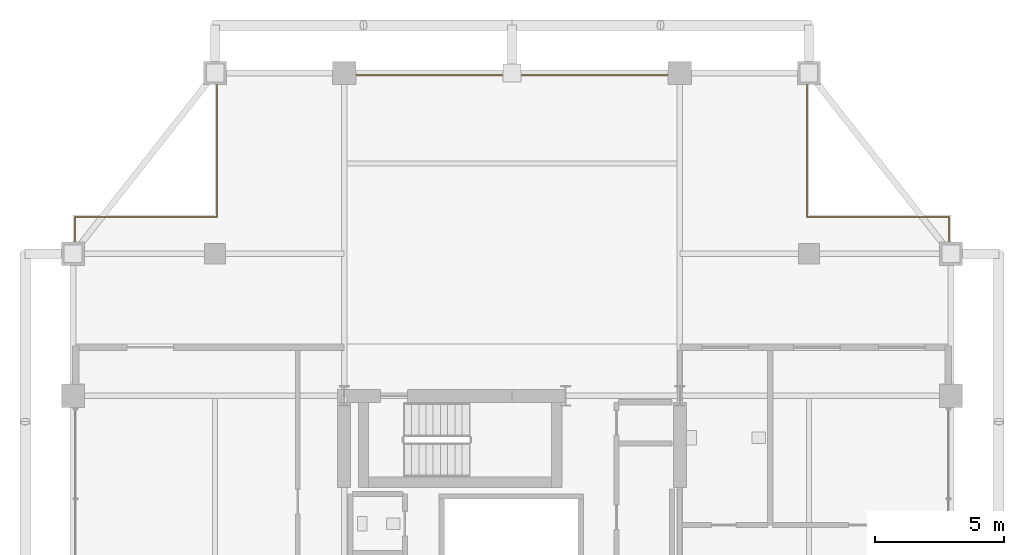
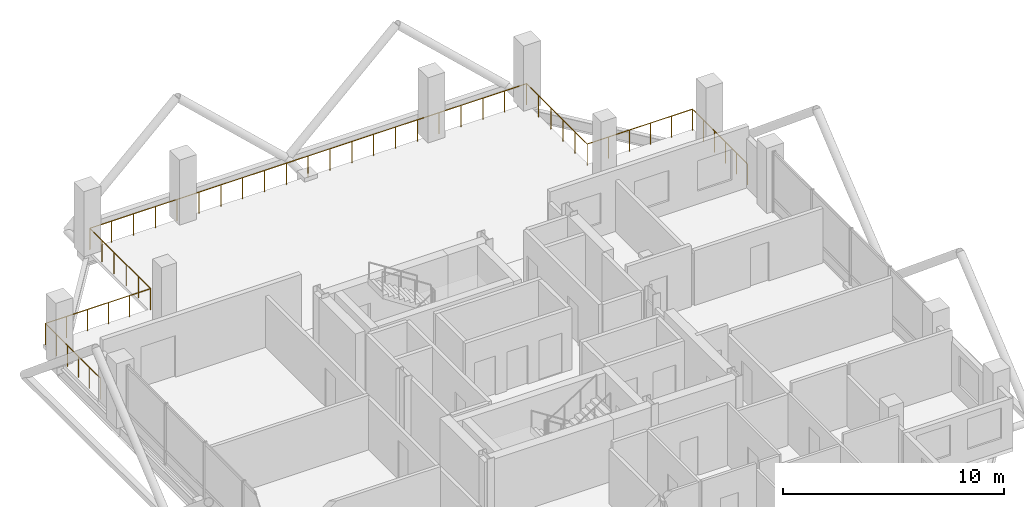
# One storey, part 20 of 21: 1 railing.
"""IFC4 building model written with IfcOpenShell, lengths in metres."""

from ifc_helpers import new_model, si_unit, direction, frame, origin, origin_2d, place, context, subcontext, project, spatial, circle, extrude, material, type_object, element, save


model = new_model("IFC4")

# Units and contexts
model_context = context("Model", 3, precision=1e-05, world=origin(), true_north=direction((0.0, 1.0)))
body_context = subcontext(model_context, "Body", "Model", "MODEL_VIEW")
ifc_project = project(units=[si_unit("LENGTHUNIT", "METRE"), si_unit("AREAUNIT", "SQUARE_METRE"), si_unit("VOLUMEUNIT", "CUBIC_METRE"), si_unit("PLANEANGLEUNIT", "RADIAN"), si_unit("MASSUNIT", "GRAM", prefix="KILO")], contexts=[model_context])

# Site, building, storey
site_placement = place(None, origin())
site = spatial("IfcSite", under=ifc_project, at=site_placement, CompositionType="ELEMENT")
building_placement = place(site_placement, origin())
building = spatial("IfcBuilding", under=site, at=building_placement, Name="Barlavira Tower and Art Museum", CompositionType="ELEMENT")
storey_placement = place(building_placement, frame((0.0, 0.0, 261.89990234375)))
storey = spatial("IfcBuildingStorey", under=building, at=storey_placement, Name="L68", CompositionType="ELEMENT", Elevation=261.89990234375)

# Railing
ifc_material = material(Name="Laminated safety glass and stainless steel", Category="steel")
railing_type = type_object("IfcRailingType", Name="Terrace and Wind-Floor Laminated Glass Balustrade 1200", PredefinedType="BALUSTRADE", material=ifc_material)
railing_placement = place(storey_placement, frame((-16.919921875, 9.449951171875, 0.0)))
element("IfcRailing", 1, at=railing_placement, inside=storey, type_object=railing_type, Name="L68 Open Wind Portal Perimeter Balustrade", PredefinedType="BALUSTRADE", context=body_context, shape_type="SweptSolid", body=[
    extrude(circle(Radius=0.02392578125, at=origin_2d()), frame((0.0, 0.0, 1.17578125), z_axis=(0.0, 1.0, 0.0), x_axis=(-1.0, 0.0, 0.0)), (0.0, 0.0, 1.0), 4.969970703125),
    extrude(circle(Radius=0.02392578125, at=origin_2d()), frame((0.0, 4.969970703125, 1.17578125), z_axis=(1.0, 0.0, 0.0), x_axis=(0.0, 1.0, 0.0)), (0.0, 0.0, 1.0), 5.5),
    extrude(circle(Radius=0.02392578125, at=origin_2d()), frame((5.5, 4.969970703125, 1.17578125), z_axis=(0.0, 1.0, 0.0), x_axis=(-1.0, 0.0, 0.0)), (0.0, 0.0, 1.0), 5.5),
    extrude(circle(Radius=0.02392578125, at=origin_2d()), frame((5.5, 10.469970703125, 1.17578125), z_axis=(1.0, 0.0, 0.0), x_axis=(0.0, 1.0, 0.0)), (0.0, 0.0, 1.0), 22.83984375),
    extrude(circle(Radius=0.02392578125, at=origin_2d()), frame((28.33984375, 10.469970703125, 1.17578125), z_axis=(0.0, -1.0, 0.0), x_axis=(1.0, 0.0, 0.0)), (0.0, 0.0, 1.0), 5.5),
    extrude(circle(Radius=0.02392578125, at=origin_2d()), frame((28.33984375, 4.969970703125, 1.17578125), z_axis=(1.0, 0.0, 0.0), x_axis=(0.0, 1.0, 0.0)), (0.0, 0.0, 1.0), 5.5),
    extrude(circle(Radius=0.02392578125, at=origin_2d()), frame((33.83984375, 4.969970703125, 1.17578125), z_axis=(0.0, -1.0, 0.0), x_axis=(1.0, 0.0, 0.0)), (0.0, 0.0, 1.0), 4.969970703125),
    extrude(circle(Radius=0.02099609375, at=origin_2d()), origin(), (0.0, 0.0, 1.0), 1.15185546875),
    extrude(circle(Radius=0.02099609375, at=origin_2d()), frame((0.0, 0.993896484375, 0.0)), (0.0, 0.0, 1.0), 1.15185546875),
    extrude(circle(Radius=0.02099609375, at=origin_2d()), frame((0.0, 1.988037109375, 0.0)), (0.0, 0.0, 1.0), 1.15185546875),
    extrude(circle(Radius=0.02099609375, at=origin_2d()), frame((0.0, 2.98193359375, 0.0)), (0.0, 0.0, 1.0), 1.15185546875),
    extrude(circle(Radius=0.02099609375, at=origin_2d()), frame((0.0, 3.97607421875, 0.0)), (0.0, 0.0, 1.0), 1.15185546875),
    extrude(circle(Radius=0.02099609375, at=origin_2d()), frame((0.0, 4.969970703125, 0.0)), (0.0, 0.0, 1.0), 1.15185546875),
    extrude(circle(Radius=0.02099609375, at=origin_2d()), frame((1.10009765625, 4.969970703125, 0.0)), (0.0, 0.0, 1.0), 1.15185546875),
    extrude(circle(Radius=0.02099609375, at=origin_2d()), frame((2.199951171875, 4.969970703125, 0.0)), (0.0, 0.0, 1.0), 1.15185546875),
    extrude(circle(Radius=0.02099609375, at=origin_2d()), frame((3.300048828125, 4.969970703125, 0.0)), (0.0, 0.0, 1.0), 1.15185546875),
    extrude(circle(Radius=0.02099609375, at=origin_2d()), frame((4.39990234375, 4.969970703125, 0.0)), (0.0, 0.0, 1.0), 1.15185546875),
    extrude(circle(Radius=0.02099609375, at=origin_2d()), frame((5.5, 4.969970703125, 0.0)), (0.0, 0.0, 1.0), 1.15185546875),
    extrude(circle(Radius=0.02099609375, at=origin_2d()), frame((5.5, 6.070068359375, 0.0)), (0.0, 0.0, 1.0), 1.15185546875),
    extrude(circle(Radius=0.02099609375, at=origin_2d()), frame((5.5, 7.169921875, 0.0)), (0.0, 0.0, 1.0), 1.15185546875),
    extrude(circle(Radius=0.02099609375, at=origin_2d()), frame((5.5, 8.27001953125, 0.0)), (0.0, 0.0, 1.0), 1.15185546875),
    extrude(circle(Radius=0.02099609375, at=origin_2d()), frame((5.5, 9.369873046875, 0.0)), (0.0, 0.0, 1.0), 1.15185546875),
    extrude(circle(Radius=0.02099609375, at=origin_2d()), frame((5.5, 10.469970703125, 0.0)), (0.0, 0.0, 1.0), 1.15185546875),
    extrude(circle(Radius=0.02099609375, at=origin_2d()), frame((6.64208984375, 10.469970703125, 0.0)), (0.0, 0.0, 1.0), 1.15185546875),
    extrude(circle(Radius=0.02099609375, at=origin_2d()), frame((7.783935546875, 10.469970703125, 0.0)), (0.0, 0.0, 1.0), 1.15185546875),
    extrude(circle(Radius=0.02099609375, at=origin_2d()), frame((8.926025390625, 10.469970703125, 0.0)), (0.0, 0.0, 1.0), 1.15185546875),
    extrude(circle(Radius=0.02099609375, at=origin_2d()), frame((10.06787109375, 10.469970703125, 0.0)), (0.0, 0.0, 1.0), 1.15185546875),
    extrude(circle(Radius=0.02099609375, at=origin_2d()), frame((11.2099609375, 10.469970703125, 0.0)), (0.0, 0.0, 1.0), 1.15185546875),
    extrude(circle(Radius=0.02099609375, at=origin_2d()), frame((12.35205078125, 10.469970703125, 0.0)), (0.0, 0.0, 1.0), 1.15185546875),
    extrude(circle(Radius=0.02099609375, at=origin_2d()), frame((13.493896484375, 10.469970703125, 0.0)), (0.0, 0.0, 1.0), 1.15185546875),
    extrude(circle(Radius=0.02099609375, at=origin_2d()), frame((14.635986328125, 10.469970703125, 0.0)), (0.0, 0.0, 1.0), 1.15185546875),
    extrude(circle(Radius=0.02099609375, at=origin_2d()), frame((15.77783203125, 10.469970703125, 0.0)), (0.0, 0.0, 1.0), 1.15185546875),
    extrude(circle(Radius=0.02099609375, at=origin_2d()), frame((16.919921875, 10.469970703125, 0.0)), (0.0, 0.0, 1.0), 1.15185546875),
    extrude(circle(Radius=0.02099609375, at=origin_2d()), frame((18.06201171875, 10.469970703125, 0.0)), (0.0, 0.0, 1.0), 1.15185546875),
    extrude(circle(Radius=0.02099609375, at=origin_2d()), frame((19.203857421875, 10.469970703125, 0.0)), (0.0, 0.0, 1.0), 1.15185546875),
    extrude(circle(Radius=0.02099609375, at=origin_2d()), frame((20.345947265625, 10.469970703125, 0.0)), (0.0, 0.0, 1.0), 1.15185546875),
    extrude(circle(Radius=0.02099609375, at=origin_2d()), frame((21.48779296875, 10.469970703125, 0.0)), (0.0, 0.0, 1.0), 1.15185546875),
    extrude(circle(Radius=0.02099609375, at=origin_2d()), frame((22.6298828125, 10.469970703125, 0.0)), (0.0, 0.0, 1.0), 1.15185546875),
    extrude(circle(Radius=0.02099609375, at=origin_2d()), frame((23.77197265625, 10.469970703125, 0.0)), (0.0, 0.0, 1.0), 1.15185546875),
    extrude(circle(Radius=0.02099609375, at=origin_2d()), frame((24.913818359375, 10.469970703125, 0.0)), (0.0, 0.0, 1.0), 1.15185546875),
    extrude(circle(Radius=0.02099609375, at=origin_2d()), frame((26.055908203125, 10.469970703125, 0.0)), (0.0, 0.0, 1.0), 1.15185546875),
    extrude(circle(Radius=0.02099609375, at=origin_2d()), frame((27.19775390625, 10.469970703125, 0.0)), (0.0, 0.0, 1.0), 1.15185546875),
    extrude(circle(Radius=0.02099609375, at=origin_2d()), frame((28.33984375, 10.469970703125, 0.0)), (0.0, 0.0, 1.0), 1.15185546875),
    extrude(circle(Radius=0.02099609375, at=origin_2d()), frame((28.33984375, 9.369873046875, 0.0)), (0.0, 0.0, 1.0), 1.15185546875),
    extrude(circle(Radius=0.02099609375, at=origin_2d()), frame((28.33984375, 8.27001953125, 0.0)), (0.0, 0.0, 1.0), 1.15185546875),
    extrude(circle(Radius=0.02099609375, at=origin_2d()), frame((28.33984375, 7.169921875, 0.0)), (0.0, 0.0, 1.0), 1.15185546875),
    extrude(circle(Radius=0.02099609375, at=origin_2d()), frame((28.33984375, 6.070068359375, 0.0)), (0.0, 0.0, 1.0), 1.15185546875),
    extrude(circle(Radius=0.02099609375, at=origin_2d()), frame((28.33984375, 4.969970703125, 0.0)), (0.0, 0.0, 1.0), 1.15185546875),
    extrude(circle(Radius=0.02099609375, at=origin_2d()), frame((29.43994140625, 4.969970703125, 0.0)), (0.0, 0.0, 1.0), 1.15185546875),
    extrude(circle(Radius=0.02099609375, at=origin_2d()), frame((30.539794921875, 4.969970703125, 0.0)), (0.0, 0.0, 1.0), 1.15185546875),
    extrude(circle(Radius=0.02099609375, at=origin_2d()), frame((31.639892578125, 4.969970703125, 0.0)), (0.0, 0.0, 1.0), 1.15185546875),
    extrude(circle(Radius=0.02099609375, at=origin_2d()), frame((32.73974609375, 4.969970703125, 0.0)), (0.0, 0.0, 1.0), 1.15185546875),
    extrude(circle(Radius=0.02099609375, at=origin_2d()), frame((33.83984375, 4.969970703125, 0.0)), (0.0, 0.0, 1.0), 1.15185546875),
    extrude(circle(Radius=0.02099609375, at=origin_2d()), frame((33.83984375, 3.97607421875, 0.0)), (0.0, 0.0, 1.0), 1.15185546875),
    extrude(circle(Radius=0.02099609375, at=origin_2d()), frame((33.83984375, 2.98193359375, 0.0)), (0.0, 0.0, 1.0), 1.15185546875),
    extrude(circle(Radius=0.02099609375, at=origin_2d()), frame((33.83984375, 1.988037109375, 0.0)), (0.0, 0.0, 1.0), 1.15185546875),
    extrude(circle(Radius=0.02099609375, at=origin_2d()), frame((33.83984375, 0.993896484375, 0.0)), (0.0, 0.0, 1.0), 1.15185546875),
    extrude(circle(Radius=0.02099609375, at=origin_2d()), frame((33.83984375, 0.0, 0.0)), (0.0, 0.0, 1.0), 1.15185546875),
])

save(model, "model.ifc")
